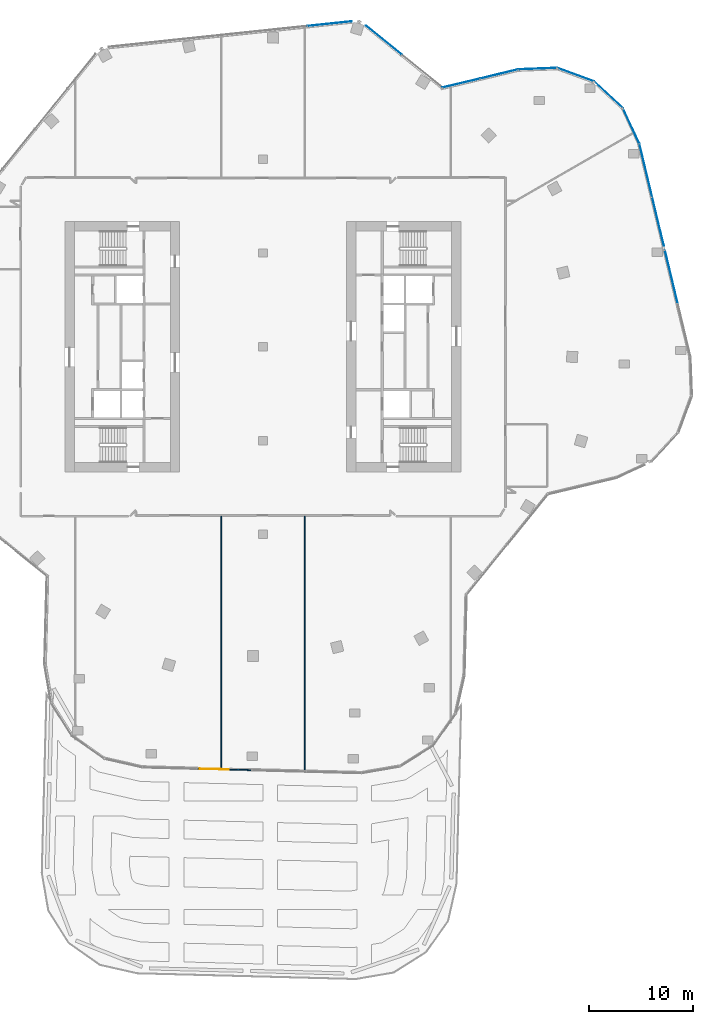
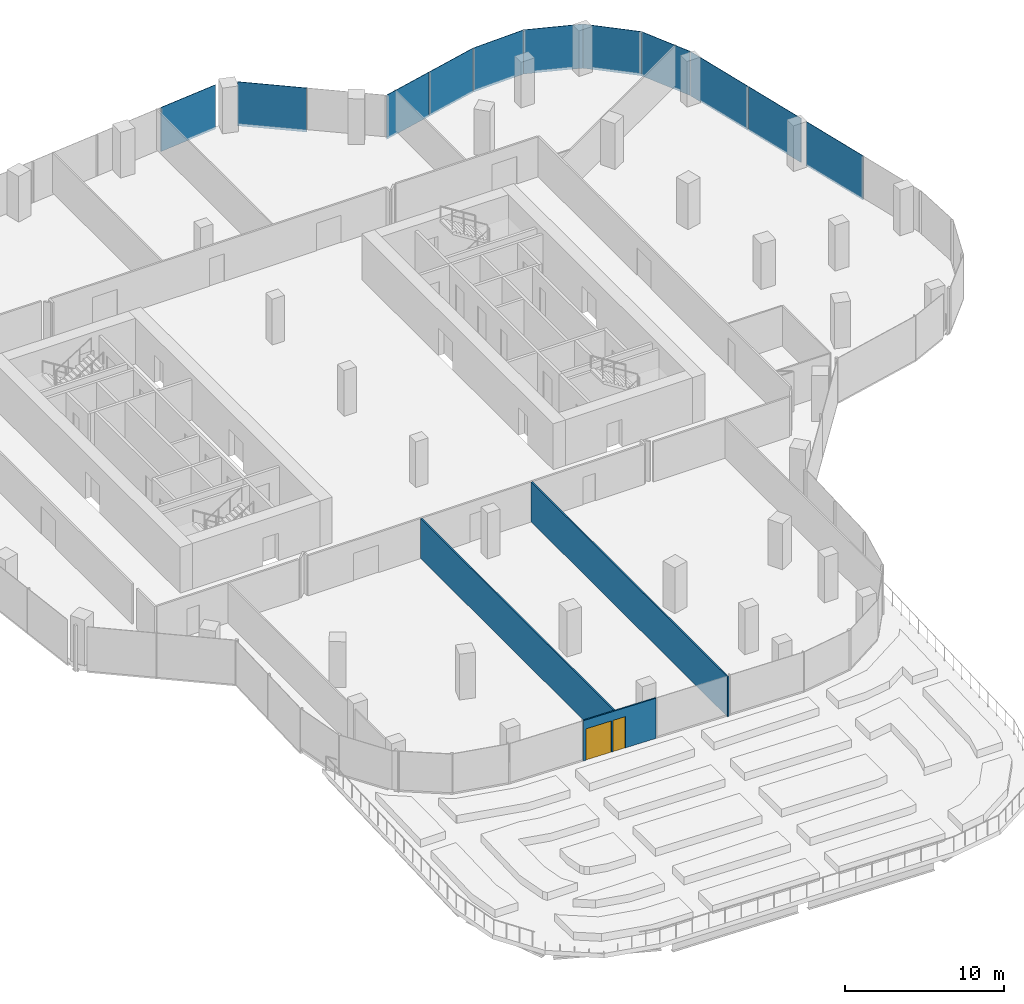
# One storey, part 17 of 25: 11 plates, 3 walls, 1 door, 1 window, 2 openings, 8 elements without a shape of their own.
"""IFC4 building model written with IfcOpenShell, lengths in metres."""

from ifc_helpers import new_model, si_unit, direction, frame, frame_2d, origin, origin_2d, place, context, subcontext, project, spatial, rectangle, extrude, material, layer, layer_set, type_object, element, fill, aggregate, save


model = new_model("IFC4")

# Units and contexts
model_context = context("Model", 3, precision=1e-05, world=origin(), true_north=direction((0.0, 1.0)))
body_context = subcontext(model_context, "Body", "Model", "MODEL_VIEW")
ifc_project = project(units=[si_unit("LENGTHUNIT", "METRE"), si_unit("AREAUNIT", "SQUARE_METRE"), si_unit("VOLUMEUNIT", "CUBIC_METRE"), si_unit("PLANEANGLEUNIT", "RADIAN"), si_unit("MASSUNIT", "GRAM", prefix="KILO")], contexts=[model_context])

# Site, building, storey
site_placement = place(None, origin())
site = spatial("IfcSite", under=ifc_project, at=site_placement, CompositionType="ELEMENT")
building_placement = place(site_placement, origin())
building = spatial("IfcBuilding", under=site, at=building_placement, Name="Orlundy Tower", CompositionType="ELEMENT")
storey_placement = place(building_placement, frame((0.0, 0.0, 217.5)))
storey = spatial("IfcBuildingStorey", under=building, at=storey_placement, Name="L57", CompositionType="ELEMENT", Elevation=217.5)

# Curtain wall, plate
ifc_material_1 = material(Name="Aluminium bronze anodised", Category="aluminium")
curtain_wall_type = type_object("IfcCurtainWallType", Name="CW1 wall", PredefinedType="NOTDEFINED", material=ifc_material_1)
curtain_wall_1_placement = place(storey_placement, origin())
curtain_wall_1 = element("IfcCurtainWall", 1, at=curtain_wall_1_placement, inside=storey, type_object=curtain_wall_type, Name="CW1 run 04", PredefinedType="NOTDEFINED")
ifc_material_2 = material(Name="Tinted glass", Category="glass")
ifc_layer_1 = layer(ifc_material_2, 0.031982421875)
ifc_layer_set_1 = layer_set([ifc_layer_1], Name="CW1 glass panel 32")
plate_type = type_object("IfcPlateType", Name="CW1 glass panel 32", PredefinedType="CURTAIN_PANEL", material=ifc_layer_set_1)
plate_1_placement = place(storey_placement, frame((6.3896484375, 31.002197265625, -0.300048828125), z_axis=(0.0, 0.0, 1.0), x_axis=(0.994520875843, 0.104538162943, 0.0)))
plate_1 = element("IfcPlate", 2, at=plate_1_placement, type_object=plate_type, Name="CW1 panel", PredefinedType="CURTAIN_PANEL", context=body_context, shape_type="SweptSolid", body=[
    extrude(rectangle(XDim=4.229248046875, YDim=0.031982421875, at=origin_2d()), origin(), (0.0, 0.0, 1.0), 3.3798828125),
])
aggregate(curtain_wall_1, [plate_1])

curtain_wall_2_placement = place(storey_placement, origin())
curtain_wall_2 = element("IfcCurtainWall", 3, at=curtain_wall_2_placement, inside=storey, type_object=curtain_wall_type, Name="CW1 run 05", PredefinedType="NOTDEFINED")
plate_2_placement = place(storey_placement, frame((11.583251953125, 29.433837890625, -0.300048828125), z_axis=(0.0, 0.0, 1.0), x_axis=(0.777128847743, -0.629341524139, 0.0)))
plate_2 = element("IfcPlate", 4, at=plate_2_placement, type_object=plate_type, Name="CW1 panel", PredefinedType="CURTAIN_PANEL", context=body_context, shape_type="SweptSolid", body=[
    extrude(rectangle(XDim=4.37646484375, YDim=0.031982421875, at=origin_2d()), origin(), (0.0, 0.0, 1.0), 3.3798828125),
])
aggregate(curtain_wall_2, [plate_2])

# Curtain wall, plates
curtain_wall_3_placement = place(storey_placement, origin())
curtain_wall_3 = element("IfcCurtainWall", 5, at=curtain_wall_3_placement, inside=storey, type_object=curtain_wall_type, Name="CW1 run 06", PredefinedType="NOTDEFINED")
plate_3_placement = place(storey_placement, frame((18.997802734375, 25.2978515625, -0.300048828125), z_axis=(0.0, 0.0, 1.0), x_axis=(0.972349931339, 0.233528608579, 0.0)))
plate_3 = element("IfcPlate", 6, at=plate_3_placement, type_object=plate_type, Name="CW1 panel", PredefinedType="CURTAIN_PANEL", context=body_context, shape_type="SweptSolid", body=[
    extrude(rectangle(XDim=3.66015625, YDim=0.031982421875, at=origin_2d()), origin(), (0.0, 0.0, 1.0), 3.3798828125),
])
plate_4_placement = place(storey_placement, frame((22.640625, 26.172607421875, -0.300048828125), z_axis=(0.0, 0.0, 1.0), x_axis=(0.972349931339, 0.233528608579, 0.0)))
plate_4 = element("IfcPlate", 7, at=plate_4_placement, type_object=plate_type, Name="CW1 panel", PredefinedType="CURTAIN_PANEL", context=body_context, shape_type="SweptSolid", body=[
    extrude(rectangle(XDim=3.732177734375, YDim=0.031982421875, at=origin_2d()), origin(), (0.0, 0.0, 1.0), 3.3798828125),
])
aggregate(curtain_wall_3, [plate_3, plate_4])

# Curtain wall, plate
curtain_wall_4_placement = place(storey_placement, origin())
curtain_wall_4 = element("IfcCurtainWall", 8, at=curtain_wall_4_placement, inside=storey, type_object=curtain_wall_type, Name="CW1 run 07", PredefinedType="NOTDEFINED")
plate_5_placement = place(storey_placement, frame((26.368408203125, 26.688232421875, -0.300048828125), z_axis=(0.0, 0.0, 1.0), x_axis=(0.999234640913, 0.039116906831, 0.0)))
plate_5 = element("IfcPlate", 9, at=plate_5_placement, type_object=plate_type, Name="CW1 panel", PredefinedType="CURTAIN_PANEL", context=body_context, shape_type="SweptSolid", body=[
    extrude(rectangle(XDim=3.73046875, YDim=0.031982421875, at=origin_2d()), origin(), (0.0, 0.0, 1.0), 3.3798828125),
])
aggregate(curtain_wall_4, [plate_5])

curtain_wall_5_placement = place(storey_placement, origin())
curtain_wall_5 = element("IfcCurtainWall", 10, at=curtain_wall_5_placement, inside=storey, type_object=curtain_wall_type, Name="CW1 run 08", PredefinedType="NOTDEFINED")
plate_6_placement = place(storey_placement, frame((30.001708984375, 26.1083984375, -0.300048828125), z_axis=(0.0, 0.0, 1.0), x_axis=(0.938200265188, -0.346092852283, 0.0)))
plate_6 = element("IfcPlate", 11, at=plate_6_placement, type_object=plate_type, Name="CW1 panel", PredefinedType="CURTAIN_PANEL", context=body_context, shape_type="SweptSolid", body=[
    extrude(rectangle(XDim=3.772216796875, YDim=0.031982421875, at=origin_2d()), origin(), (0.0, 0.0, 1.0), 3.3798828125),
])
aggregate(curtain_wall_5, [plate_6])

curtain_wall_6_placement = place(storey_placement, origin())
curtain_wall_6 = element("IfcCurtainWall", 12, at=curtain_wall_6_placement, inside=storey, type_object=curtain_wall_type, Name="CW1 run 09", PredefinedType="NOTDEFINED")
plate_7_placement = place(storey_placement, frame((33.15625, 24.175537109375, -0.300048828125), z_axis=(0.0, 0.0, 1.0), x_axis=(0.734348182738, -0.678772971258, 0.0)))
plate_7 = element("IfcPlate", 13, at=plate_7_placement, type_object=plate_type, Name="CW1 panel", PredefinedType="CURTAIN_PANEL", context=body_context, shape_type="SweptSolid", body=[
    extrude(rectangle(XDim=3.77197265625, YDim=0.031982421875, at=origin_2d()), origin(), (0.0, 0.0, 1.0), 3.3798828125),
])
aggregate(curtain_wall_6, [plate_7])

curtain_wall_7_placement = place(storey_placement, origin())
curtain_wall_7 = element("IfcCurtainWall", 14, at=curtain_wall_7_placement, inside=storey, type_object=curtain_wall_type, Name="CW1 run 010", PredefinedType="NOTDEFINED")
plate_8_placement = place(storey_placement, frame((35.32177734375, 21.201416015625, -0.300048828125), z_axis=(0.0, 0.0, 1.0), x_axis=(0.418493445182, -0.908219817192, 0.0)))
plate_8 = element("IfcPlate", 15, at=plate_8_placement, type_object=plate_type, Name="CW1 panel", PredefinedType="CURTAIN_PANEL", context=body_context, shape_type="SweptSolid", body=[
    extrude(rectangle(XDim=3.729736328125, YDim=0.031982421875, at=origin_2d()), origin(), (0.0, 0.0, 1.0), 3.3798828125),
])
aggregate(curtain_wall_7, [plate_8])

# Curtain wall, plates
curtain_wall_8_placement = place(storey_placement, origin())
curtain_wall_8 = element("IfcCurtainWall", 16, at=curtain_wall_8_placement, inside=storey, type_object=curtain_wall_type, Name="CW1 run 011", PredefinedType="NOTDEFINED")
plate_9_placement = place(storey_placement, frame((36.7275390625, 16.924560546875, -0.300048828125), z_axis=(0.0, 0.0, 1.0), x_axis=(0.233472005748, -0.972363523859, 0.0)))
plate_9 = element("IfcPlate", 17, at=plate_9_placement, type_object=plate_type, Name="CW1 panel", PredefinedType="CURTAIN_PANEL", context=body_context, shape_type="SweptSolid", body=[
    extrude(rectangle(XDim=5.216064453125, YDim=0.031982421875, at=origin_2d()), origin(), (0.0, 0.0, 1.0), 3.3798828125),
])
plate_10_placement = place(storey_placement, frame((37.907470703125, 12.010498046875, -0.300048828125), z_axis=(0.0, 0.0, 1.0), x_axis=(0.233472005748, -0.972363523859, 0.0)))
plate_10 = element("IfcPlate", 18, at=plate_10_placement, type_object=plate_type, Name="CW1 panel", PredefinedType="CURTAIN_PANEL", context=body_context, shape_type="SweptSolid", body=[
    extrude(rectangle(XDim=4.79150390625, YDim=0.031982421875, at=origin_2d()), origin(), (0.0, 0.0, 1.0), 3.3798828125),
])
plate_11_placement = place(storey_placement, frame((39.180908203125, 6.706787109375, -0.300048828125), z_axis=(0.0, 0.0, 1.0), x_axis=(0.233472005748, -0.972363523859, 0.0)))
plate_11 = element("IfcPlate", 19, at=plate_11_placement, type_object=plate_type, Name="CW1 panel", PredefinedType="CURTAIN_PANEL", context=body_context, shape_type="SweptSolid", body=[
    extrude(rectangle(XDim=5.2001953125, YDim=0.031982421875, at=origin_2d()), origin(), (0.0, 0.0, 1.0), 3.3798828125),
])
aggregate(curtain_wall_8, [plate_9, plate_10, plate_11])

# Walls
ifc_material_3 = material(Name="Gypsum board partition")
ifc_layer_2 = layer(ifc_material_3, 0.10009765625)
ifc_layer_set_2 = layer_set([ifc_layer_2], Name="Floor partition 100")
wall_type_1 = type_object("IfcWallType", Name="Floor partition 100", PredefinedType="PARTITIONING", material=ifc_layer_set_2)
wall_1_placement = place(storey_placement, frame((4.0, -40.868896484375, 0.0), z_axis=(0.0, 0.0, 1.0), x_axis=(0.0, 1.0, 0.0)))
element("IfcWall", 20, at=wall_1_placement, inside=storey, type_object=wall_type_1, Name="wall-int-L57-031", PredefinedType="PARTITIONING", context=body_context, shape_type="SweptSolid", body=[
    extrude(rectangle(XDim=24.60693359375, YDim=0.10009765625, at=frame_2d((12.303466796875, 0.0))), origin(), (0.0, 0.0, 1.0), 3.06005859375),
])
wall_2_placement = place(storey_placement, frame((-4.0, -40.4189453125, 0.0), z_axis=(0.0, 0.0, 1.0), x_axis=(0.0, 1.0, 0.0)))
element("IfcWall", 21, at=wall_2_placement, inside=storey, type_object=wall_type_1, Name="wall-int-L57-033", PredefinedType="PARTITIONING", context=body_context, shape_type="SweptSolid", body=[
    extrude(rectangle(XDim=24.156982421875, YDim=0.10009765625, at=frame_2d((12.07861328125, 0.0))), origin(), (0.0, 0.0, 1.0), 3.06005859375),
])

# Wall, openings, window, door
ifc_material_4 = material(Name="Aluminium bronze and tinted glass", Category="aluminium")
ifc_layer_3 = layer(ifc_material_4, 0.10009765625)
ifc_layer_set_3 = layer_set([ifc_layer_3], Name="Glazed door screen")
wall_type_2 = type_object("IfcWallType", Name="Glazed door screen", PredefinedType="STANDARD", material=ifc_layer_set_3)
wall_3_placement = place(storey_placement, frame((-1.0888671875, -40.615234375, 0.0), z_axis=(0.0, 0.0, 1.0), x_axis=(-0.99965677268, 0.026198031146, 0.0)))
wall_3 = element("IfcWall", 22, at=wall_3_placement, inside=storey, type_object=wall_type_2, Name="Glazed door screen", PredefinedType="STANDARD", context=body_context, shape_type="SweptSolid", body=[
    extrude(rectangle(XDim=5.199951171875, YDim=0.10009765625, at=frame_2d((2.60009765625, 0.0))), origin(), (0.0, 0.0, 1.0), 3.080078125),
])
opening_1_placement = place(wall_3_placement, frame((3.199951171875, 0.0, 0.0)))
opening_1 = element("IfcOpeningElement", 23, at=opening_1_placement, cuts=wall_3, Name="Opening 44940", PredefinedType="OPENING", context=body_context, shape_type="SweptSolid", body=[
    extrude(rectangle(XDim=1.800048828125, YDim=2.39990234375, at=frame_2d((0.89990234375, 1.199951171875))), frame((0.0, 0.06005859375, 0.0), z_axis=(0.0, -1.0, 0.0), x_axis=(1.0, 0.0, 0.0)), (0.0, 0.0, 1.0), 0.1201171875),
])
opening_2_placement = place(wall_3_placement, frame((2.199951171875, 0.0, 0.0)))
opening_2 = element("IfcOpeningElement", 24, at=opening_2_placement, cuts=wall_3, Name="Opening W02", PredefinedType="OPENING", context=body_context, shape_type="SweptSolid", body=[
    extrude(rectangle(XDim=0.89990234375, YDim=2.39990234375, at=frame_2d((0.449951171875, 1.199951171875))), frame((0.0, 0.06005859375, 0.0), z_axis=(0.0, -1.0, 0.0), x_axis=(1.0, 0.0, 0.0)), (0.0, 0.0, 1.0), 0.1201171875),
])
ifc_material_5 = material(Name="Tinted glass in bronze aluminium frame", Category="aluminium")
window_type = type_object("IfcWindowType", Name="SL2 sidelight 900x2400", PartitioningType="SINGLE_PANEL", PredefinedType="WINDOW", material=ifc_material_5)
window_placement = place(opening_2_placement, origin())
window = element("IfcWindow", 25, at=window_placement, inside=storey, type_object=window_type, Name="Window W02 L57", OverallHeight=2.39990234375, OverallWidth=0.89990234375, PartitioningType="SINGLE_PANEL", PredefinedType="WINDOW", context=body_context, shape_type="SweptSolid", body=[
    extrude(rectangle(XDim=0.89990234375, YDim=2.39990234375, at=frame_2d((0.449951171875, 1.199951171875))), frame((0.0, 0.030029296875, 0.0), z_axis=(0.0, -1.0, 0.0), x_axis=(1.0, 0.0, 0.0)), (0.0, 0.0, 1.0), 0.06005859375),
])
fill(opening_2, window)
ifc_material_6 = material(Name="Aluminium bronze and tinted glass", Category="aluminium")
door_type = type_object("IfcDoorType", Name="TD1 terrace door 1800x2400", OperationType="NOTDEFINED", PredefinedType="DOOR", material=ifc_material_6)
door_placement = place(opening_1_placement, origin())
door = element("IfcDoor", 26, at=door_placement, inside=storey, type_object=door_type, Name="Door 44940", OperationType="DOUBLE_DOOR_SINGLE_SWING", OverallHeight=2.39990234375, OverallWidth=1.800048828125, PredefinedType="DOOR", context=body_context, shape_type="SweptSolid", body=[
    extrude(rectangle(XDim=1.800048828125, YDim=2.39990234375, at=frame_2d((0.89990234375, 1.199951171875))), frame((0.0, 0.02490234375, 0.0), z_axis=(0.0, -1.0, 0.0), x_axis=(1.0, 0.0, 0.0)), (0.0, 0.0, 1.0), 0.050048828125),
])
fill(opening_1, door)

save(model, "model.ifc")
